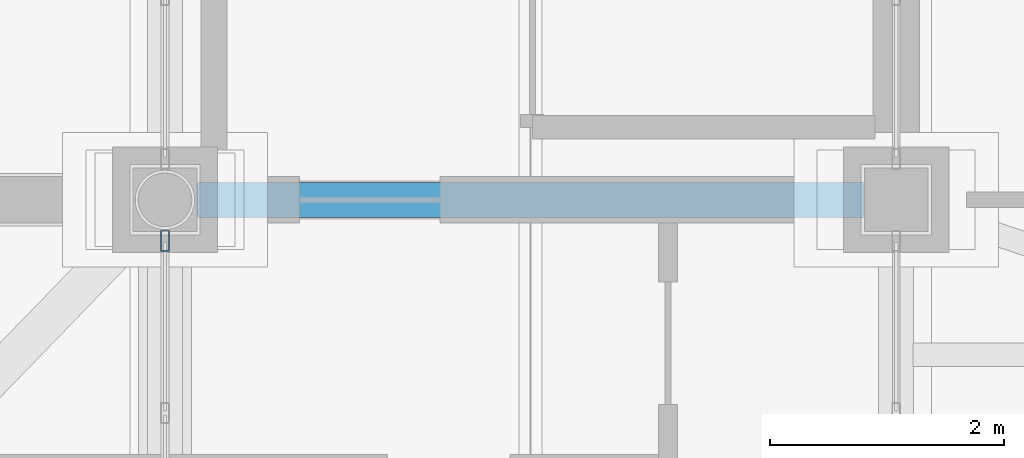
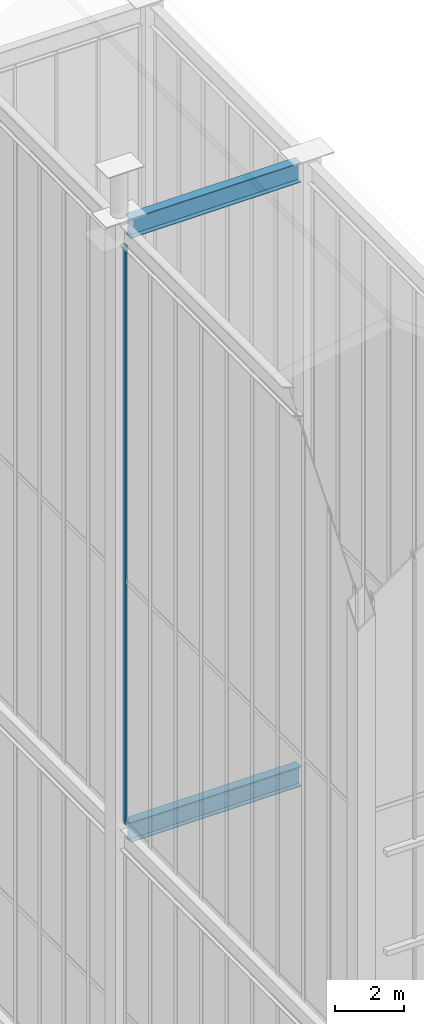
# One storey, part 79 of 135: 2 beams, 1 member, 1 element without a shape of its own.
"""IFC4 building model written with IfcOpenShell, lengths in metres."""

from ifc_helpers import new_model, si_unit, direction, frame, origin, origin_2d, place, context, subcontext, project, spatial, hollow_rectangle, i_section, extrude, source, transform, mapped, material, layer, layer_set, material_profile, profile_set, type_object, element, aggregate, save


model = new_model("IFC4")

# Units and contexts
model_context = context("Model", 3, precision=1e-05, world=origin(), true_north=direction((0.0, 1.0)))
body_context = subcontext(model_context, "Body", "Model", "MODEL_VIEW")
ifc_project = project(units=[si_unit("LENGTHUNIT", "METRE"), si_unit("AREAUNIT", "SQUARE_METRE"), si_unit("VOLUMEUNIT", "CUBIC_METRE"), si_unit("PLANEANGLEUNIT", "RADIAN"), si_unit("MASSUNIT", "GRAM", prefix="KILO")], contexts=[model_context])

# Site, building, storey
site_placement = place(None, origin())
site = spatial("IfcSite", under=ifc_project, at=site_placement, CompositionType="ELEMENT")
building_placement = place(site_placement, origin())
building = spatial("IfcBuilding", under=site, at=building_placement, Name="Giltprow Tower", CompositionType="ELEMENT")
storey_placement = place(building_placement, frame((0.0, 0.0, 352.699951171875)))
storey = spatial("IfcBuildingStorey", under=building, at=storey_placement, Name="L92", CompositionType="ELEMENT", Elevation=352.699951171875)

# Beams
ifc_material_1 = material(Name="Structural steel Q355B", Category="steel")
ifc_material_profile_1 = material_profile(ifc_material_1, i_section(OverallWidth=0.300048828125, OverallDepth=0.699951171875, WebThickness=0.012939453125, FlangeThickness=0.02392578125, at=origin_2d()), Name="HN 700x300x13x24")
ifc_profile_set_1 = profile_set([ifc_material_profile_1], Name="Structural steel Q355B")
beam_type = type_object("IfcBeamType", Name="BM-GIRD-HN700", PredefinedType="BEAM", material=ifc_profile_set_1)
shared_shape_1 = source(origin(), body_context, "Body", "SweptSolid", [
    extrude(i_section(OverallWidth=0.300048828125, OverallDepth=0.699951171875, WebThickness=0.012939453125, FlangeThickness=0.02392578125, at=origin_2d()), origin(), (0.0, 0.0, 1.0), 5.68994140625),
])
for number, where, z_axis, x_axis, name in (
    (1, (44.580078125, 37.449951171875, 16.699951171875), (1.0, 0.0, 0.0), (0.0, 1.0, 0.0), "Crown East Internal Cross Beam 1"),
    (2, (44.580078125, 37.449951171875, 37.966064453125), (1.0, 0.0, 0.0), (0.0, 1.0, 0.0), "Crown East Internal Cross Beam 2"),
):
    element("IfcBeam", number, at=place(storey_placement, frame(where, z_axis=z_axis, x_axis=x_axis)), inside=storey, type_object=beam_type, Name=name, PredefinedType="BEAM", context=body_context, shape_type="MappedRepresentation", body=[
        mapped(shared_shape_1, transform((0.0, 0.0, 0.0), x_axis=(1.0, 0.0, 0.0), y_axis=(0.0, 1.0, 0.0), z_axis=(0.0, 0.0, 1.0), scale=1.0)),
    ])

# Curtain wall, member
ifc_material_2 = material(Name="Anodized bronze", Category="metal")
ifc_layer = layer(ifc_material_2, 0.179931640625, Name="Anodized bronze")
ifc_layer_set = layer_set([ifc_layer], Name="Anodized bronze")
curtain_wall_type = type_object("IfcCurtainWallType", Name="CW-CROWN-LANTERN", PredefinedType="NOTDEFINED", material=ifc_layer_set)
curtain_wall_placement = place(storey_placement, origin())
curtain_wall = element("IfcCurtainWall", 3, at=curtain_wall_placement, inside=storey, type_object=curtain_wall_type, Name="Crown East Upper Lantern Glazing 6", PredefinedType="NOTDEFINED")
ifc_material_profile_2 = material_profile(ifc_material_2, hollow_rectangle(XDim=0.074951171875, YDim=0.179931640625, WallThickness=0.008056640625, at=origin_2d()), Name="RHS 180x75x8")
ifc_profile_set_2 = profile_set([ifc_material_profile_2], Name="Anodized bronze")
member_type = type_object("IfcMemberType", Name="CW-MULLION-180x75", PredefinedType="MULLION", material=ifc_profile_set_2)
shared_shape_2 = source(origin(), body_context, "Body", "SweptSolid", [
    extrude(hollow_rectangle(XDim=0.074951171875, YDim=0.179931640625, WallThickness=0.008056640625, at=origin_2d()), origin(), (0.0, 0.0, 1.0), 20.406005859375),
])
member_placement = place(storey_placement, frame((44.300048828125, 37.10009765625, 17.25), z_axis=(0.0, 0.0, 1.0), x_axis=(1.0, 0.0, 0.0)))
member = element("IfcMember", 4, at=member_placement, type_object=member_type, Name="Crown East Upper Lantern Glazing 6 Mullion 1", PredefinedType="MULLION", context=body_context, shape_type="MappedRepresentation", body=[
    mapped(shared_shape_2, transform((0.0, 0.0, 0.0), x_axis=(1.0, 0.0, 0.0), y_axis=(0.0, 1.0, 0.0), z_axis=(0.0, 0.0, 1.0), scale=1.0)),
])
aggregate(curtain_wall, [member])

save(model, "model.ifc")
